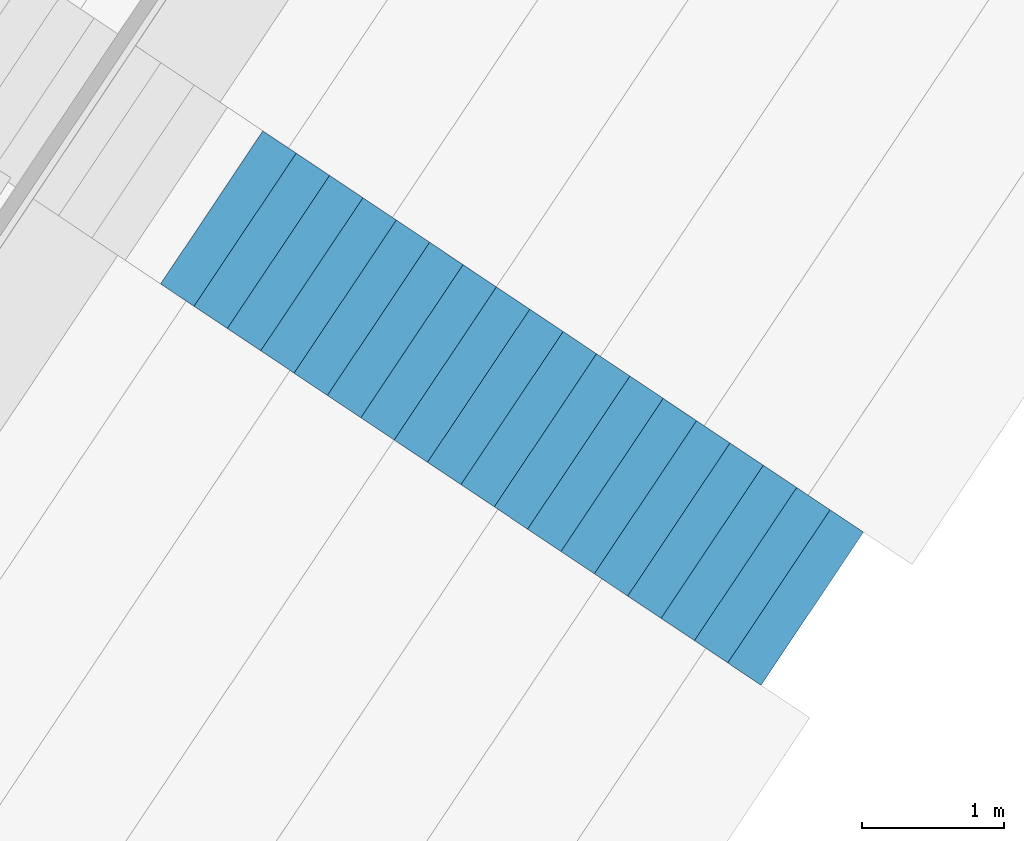
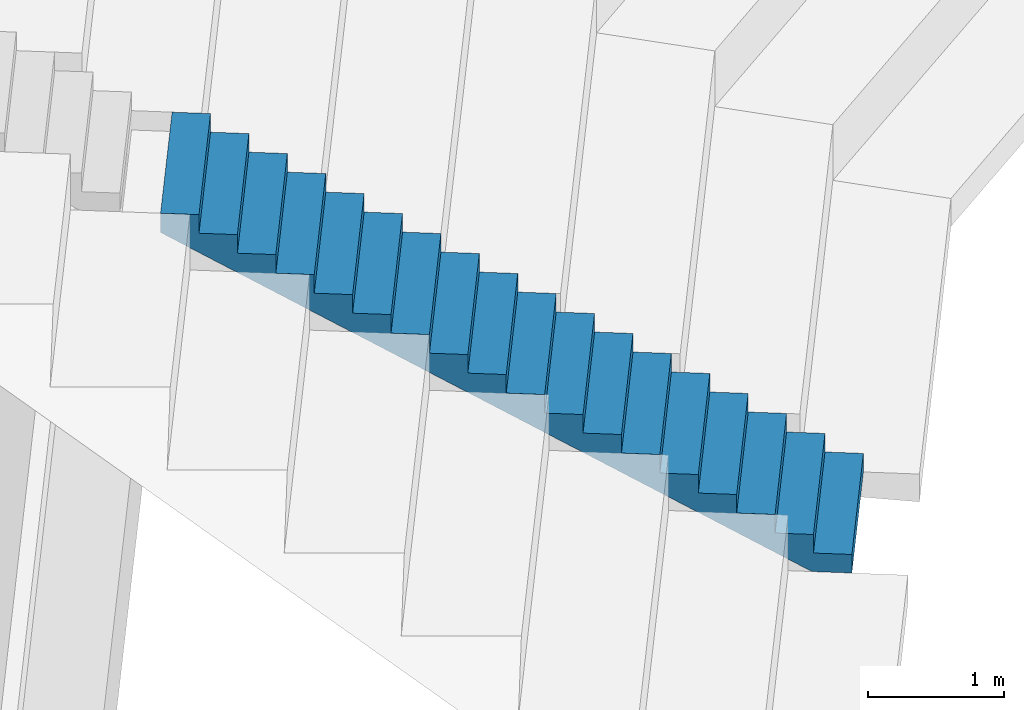
# One storey, part 196 of 249: 1 stair flight, 1 element without a shape of its own.
"""IFC4 building model written with IfcOpenShell, lengths in metres."""

import ifcopenshell
import ifcopenshell.guid

model = None  # the IFC model being written
_history = None  # IfcOwnerHistory: only IFC2X3 demands one
_inside = {}  # id of a spatial element -> (the spatial element, [elements in it])
_under = {}  # id of a project, library or spatial element -> (it, [spatial elements below it])
_declared = {}  # id of a project -> (the project, [libraries it declares])
_typed = {}  # id of a type object -> (the type object, [elements of that type])
_made_of = {}  # id of a material, layer set ... -> (it, [elements and type objects made of it])


def new_model(schema):
    """Start an empty IFC model of exactly this schema.

    Asked for "IFC4X3", IfcOpenShell would pick the latest addendum, in which some entities
    have other attributes; the version numbers below select the first issue.
    IFC2X3 requires an IfcOwnerHistory on every rooted entity: one is made here for all.
    """
    global model, _history
    if schema == "IFC4X3":
        model = ifcopenshell.file(schema_version=(4, 3, 0, 0))
    else:
        model = ifcopenshell.file(schema=schema)
    _inside.clear()
    _under.clear()
    _declared.clear()
    _typed.clear()
    _made_of.clear()
    _history = None
    if model.schema == "IFC2X3":
        org = make("IfcOrganization", Name="unknown")
        user = make(
            "IfcPersonAndOrganization",
            ThePerson=make("IfcPerson", FamilyName="unknown"),
            TheOrganization=org,
        )
        app = make(
            "IfcApplication",
            ApplicationDeveloper=org,
            Version="unknown",
            ApplicationFullName="unknown",
            ApplicationIdentifier="unknown",
        )
        _history = make(
            "IfcOwnerHistory",
            OwningUser=user,
            OwningApplication=app,
            ChangeAction="ADDED",
            CreationDate=0,
        )
    return model


def make(cls, **values):
    """One entity of the class cls with the attributes given. An attribute that is None is left unset."""
    return model.create_entity(
        cls, **{name: value for name, value in values.items() if value is not None}
    )


def rooted(cls, **values):
    """An entity with a GlobalId (a new one), such as an element, a storey or a relation."""
    return make(cls, GlobalId=ifcopenshell.guid.new(), OwnerHistory=_history, **values)


def si_unit(unit_type, name, prefix=None):
    """IfcSIUnit, for example si_unit("LENGTHUNIT", "METRE", prefix="MILLI")."""
    return make("IfcSIUnit", UnitType=unit_type, Prefix=prefix, Name=name)


def assignment(units):
    """IfcUnitAssignment: the units of a project."""
    return None if units is None else make("IfcUnitAssignment", Units=units)


def point(xyz):
    """IfcCartesianPoint."""
    return None if xyz is None else make("IfcCartesianPoint", Coordinates=xyz)


def direction(xyz):
    """IfcDirection."""
    return None if xyz is None else make("IfcDirection", DirectionRatios=xyz)


def frame(location, z_axis=None, x_axis=None):
    """IfcAxis2Placement3D, a coordinate frame: its origin and axes. An axis left out is left unset."""
    return make(
        "IfcAxis2Placement3D",
        Location=point(location),
        Axis=direction(z_axis),
        RefDirection=direction(x_axis),
    )


def origin():
    """The frame at (0, 0, 0) with its axes left unset."""
    return frame((0.0, 0.0, 0.0))


def place(relative_to, where):
    """IfcLocalPlacement: puts the frame where relative to a parent placement (None: the world)."""
    return make(
        "IfcLocalPlacement", PlacementRelTo=relative_to, RelativePlacement=where
    )


def context(
    kind, dimensions, precision=None, world=None, true_north=None, identifier=None
):
    """IfcGeometricRepresentationContext, for example the 3D "Model" context."""
    return make(
        "IfcGeometricRepresentationContext",
        ContextIdentifier=identifier,
        ContextType=kind,
        CoordinateSpaceDimension=dimensions,
        Precision=precision,
        WorldCoordinateSystem=world,
        TrueNorth=true_north,
    )


def subcontext(parent, identifier, kind, view, scale=None):
    """IfcGeometricRepresentationSubContext, for example "Body" below "Model"."""
    return make(
        "IfcGeometricRepresentationSubContext",
        ContextIdentifier=identifier,
        ContextType=kind,
        ParentContext=parent,
        TargetScale=scale,
        TargetView=view,
    )


def project(units=None, contexts=None):
    """IfcProject with its units and contexts."""
    return rooted(
        "IfcProject",
        Name="project",
        RepresentationContexts=contexts,
        UnitsInContext=assignment(units),
    )


def spatial(cls, under=None, at=None, **own):
    """A site, building, storey or space (cls), placed at a placement, below another one or the project."""
    s = rooted(cls, ObjectPlacement=at, **own)
    if under is not None:
        _under.setdefault(under.id(), (under, []))[1].append(s)
    return s


def faces_of(points, faces, orient=None, outer=None):
    """IfcFace entities. A face is a list of loops; a loop is a list of indices into points, from 0.

    orient and outer hold one flag for each loop. By default every Orientation is true, the
    first loop of a face is its IfcFaceOuterBound and the others are IfcFaceBound.
    """
    made = []
    for i, loops in enumerate(faces):
        bounds = []
        for j, loop in enumerate(loops):
            is_outer = j == 0 if outer is None else outer[i][j]
            bounds.append(
                make(
                    "IfcFaceOuterBound" if is_outer else "IfcFaceBound",
                    Bound=make("IfcPolyLoop", Polygon=[points[k] for k in loop]),
                    Orientation=True if orient is None else orient[i][j],
                )
            )
        made.append(make("IfcFace", Bounds=bounds))
    return made


def faceted_brep(points, faces, orient=None, outer=None, voids=None):
    """IfcFacetedBrep: a solid bounded by flat faces; with voids (closed shells), ...WithVoids."""
    shared = [point(p) for p in points]
    hull = make("IfcClosedShell", CfsFaces=faces_of(shared, faces, orient, outer))
    if voids is None:
        return make("IfcFacetedBrep", Outer=hull)
    return make(
        "IfcFacetedBrepWithVoids",
        Outer=hull,
        Voids=[
            make(cls, CfsFaces=faces_of(shared, fs, o, b)) for cls, fs, o, b in voids
        ],
    )


def shape(context_of_items, identifier, shape_type, items):
    """IfcShapeRepresentation: the items that make up one representation, for example the "Body"."""
    return make(
        "IfcShapeRepresentation",
        ContextOfItems=context_of_items,
        RepresentationIdentifier=identifier,
        RepresentationType=shape_type,
        Items=items,
    )


def material(Name=None, Category=None):
    """IfcMaterial."""
    return make("IfcMaterial", Name=Name, Category=Category)


def made_of(thing, what):
    """Note that an element or type object is made of a material, layer set ...; save() writes the relation."""
    if what is not None:
        _made_of.setdefault(what.id(), (what, []))[1].append(thing)
    return thing


def type_object(cls, material=None, **own):
    """A type object (cls), such as IfcWallType, which elements share."""
    return made_of(rooted(cls, **own), material)


def element(
    cls,
    number,
    at=None,
    inside=None,
    cuts=None,
    type_object=None,
    material=None,
    context=None,
    identifier="Body",
    shape_type=None,
    held_by="IfcProductDefinitionShape",
    body=None,
    shapes=None,
    **own,
):
    """One element of the class cls, such as IfcWall. Its Tag is "e" and its number.

    at: its placement. inside: the storey or other place that contains it. cuts: it is an
    opening in that element (IfcRelVoidsElement). A single representation is given by context,
    identifier, shape_type and body (its items); several are given by shapes. held_by: the class
    of the entity that holds the representations. save() writes the other relations.
    """
    e = rooted(cls, Tag="e%d" % number, ObjectPlacement=at, **own)
    if body is not None:
        shapes = [shape(context, identifier, shape_type, body)]
    if shapes is not None:
        e.Representation = make(held_by, Representations=shapes)
    if inside is not None:
        _inside.setdefault(inside.id(), (inside, []))[1].append(e)
    if cuts is not None:
        rooted(
            "IfcRelVoidsElement", RelatingBuildingElement=cuts, RelatedOpeningElement=e
        )
    if type_object is not None:
        _typed.setdefault(type_object.id(), (type_object, []))[1].append(e)
    return made_of(e, material)


def aggregate(whole, parts):
    """IfcRelAggregates: a whole, such as a stair, and the parts it consists of."""
    return rooted("IfcRelAggregates", RelatingObject=whole, RelatedObjects=parts)


def save(model, path):
    """Write the relations noted so far, then the file.

    IfcRelAggregates (storeys below a building ...), IfcRelContainedInSpatialStructure (elements
    in a storey), IfcRelDefinesByType, IfcRelAssociatesMaterial and IfcRelDeclares: one each for
    every whole, place, type object, material and project.
    """
    for whole, parts in _under.values():
        aggregate(whole, parts)
    for where, things in _inside.values():
        rooted(
            "IfcRelContainedInSpatialStructure",
            RelatedElements=things,
            RelatingStructure=where,
        )
    for kind, things in _typed.values():
        rooted("IfcRelDefinesByType", RelatedObjects=things, RelatingType=kind)
    for what, things in _made_of.values():
        rooted("IfcRelAssociatesMaterial", RelatedObjects=things, RelatingMaterial=what)
    for by, libraries in _declared.values():
        rooted("IfcRelDeclares", RelatingContext=by, RelatedDefinitions=libraries)
    model.write(path)


model = new_model("IFC4")

# Units and contexts
model_context = context("Model", 3, precision=1e-05, world=origin(), true_north=direction((0.0, 1.0)))
body_context = subcontext(model_context, "Body", "Model", "MODEL_VIEW")
ifc_project = project(units=[si_unit("LENGTHUNIT", "METRE"), si_unit("AREAUNIT", "SQUARE_METRE"), si_unit("VOLUMEUNIT", "CUBIC_METRE"), si_unit("PLANEANGLEUNIT", "RADIAN"), si_unit("MASSUNIT", "GRAM", prefix="KILO")], contexts=[model_context])

# Site, building, storey
site_placement = place(None, origin())
site = spatial("IfcSite", under=ifc_project, at=site_placement, CompositionType="ELEMENT")
building_placement = place(site_placement, origin())
building = spatial("IfcBuilding", under=site, at=building_placement, Name="Ogive Plaza Stadium", CompositionType="ELEMENT")
storey_placement = place(building_placement, frame((0.0, 0.0, 13.5)))
storey = spatial("IfcBuildingStorey", under=building, at=storey_placement, Name="L03", CompositionType="ELEMENT", Elevation=13.5)

# Stair, stair flight
ifc_material_1 = material(Name="Concrete C40/50", Category="concrete")
stair_type = type_object("IfcStairType", Name="Aisle stair", PredefinedType="STRAIGHT_RUN_STAIR", material=ifc_material_1)
stair_placement = place(storey_placement, origin())
stair = element("IfcStair", 1, at=stair_placement, inside=storey, type_object=stair_type, Name="Aisle stair SA29U", PredefinedType="STRAIGHT_RUN_STAIR")
ifc_material_2 = material(Name="Concrete C40/50", Category="concrete")
stair_flight_type = type_object("IfcStairFlightType", Name="Aisle stair flight", PredefinedType="STRAIGHT", material=ifc_material_2)
stair_flight_placement = place(storey_placement, frame((-51.876708984375, 64.44482421875, 0.5), z_axis=(0.0, 0.0, 1.0), x_axis=(-0.831469612303, 0.55557023302, 0.0)))
stair_flight = element("IfcStairFlight", 2, at=stair_flight_placement, type_object=stair_flight_type, Name="SA29U flight 1", NumberOfRisers=18, NumberOfTreads=17, PredefinedType="STRAIGHT", RiserHeight=0.166666667, TreadLength=0.283333333, context=body_context, shape_type="Brep", body=[
    faceted_brep([(0.295654296875, -0.64990234375, 0.0), (5.10009765625, -0.64990234375, 2.826171875), (5.10009765625, -0.64990234375, 3.0), (4.816650390625, -0.64990234375, 3.0), (4.816650390625, -0.64990234375, 2.833251953125), (4.533447265625, -0.64990234375, 2.833251953125), (4.533447265625, -0.64990234375, 2.666748046875), (4.25, -0.64990234375, 2.666748046875), (4.25, -0.64990234375, 2.5), (3.966552734375, -0.64990234375, 2.5), (3.966552734375, -0.64990234375, 2.333251953125), (3.683349609375, -0.64990234375, 2.333251953125), (3.683349609375, -0.64990234375, 2.166748046875), (3.39990234375, -0.64990234375, 2.166748046875), (3.39990234375, -0.64990234375, 2.0), (3.11669921875, -0.64990234375, 2.0), (3.11669921875, -0.64990234375, 1.833251953125), (2.833251953125, -0.64990234375, 1.833251953125), (2.833251953125, -0.64990234375, 1.666748046875), (2.550048828125, -0.64990234375, 1.666748046875), (2.550048828125, -0.64990234375, 1.5), (2.2666015625, -0.64990234375, 1.5), (2.2666015625, -0.64990234375, 1.333251953125), (1.9833984375, -0.64990234375, 1.333251953125), (1.9833984375, -0.64990234375, 1.166748046875), (1.699951171875, -0.64990234375, 1.166748046875), (1.699951171875, -0.64990234375, 1.0), (1.416748046875, -0.64990234375, 1.0), (1.416748046875, -0.64990234375, 0.833251953125), (1.13330078125, -0.64990234375, 0.833251953125), (1.13330078125, -0.64990234375, 0.666748046875), (0.85009765625, -0.64990234375, 0.666748046875), (0.85009765625, -0.64990234375, 0.5), (0.566650390625, -0.64990234375, 0.5), (0.566650390625, -0.64990234375, 0.333251953125), (0.283447265625, -0.64990234375, 0.333251953125), (0.283447265625, -0.64990234375, 0.166748046875), (0.0, -0.64990234375, 0.166748046875), (0.0, -0.64990234375, 0.0), (0.0, 0.64990234375, 0.0), (0.0, 0.64990234375, 0.166748046875), (0.283447265625, 0.64990234375, 0.166748046875), (0.283447265625, 0.64990234375, 0.333251953125), (0.566650390625, 0.64990234375, 0.333251953125), (0.566650390625, 0.64990234375, 0.5), (0.85009765625, 0.64990234375, 0.5), (0.85009765625, 0.64990234375, 0.666748046875), (1.13330078125, 0.64990234375, 0.666748046875), (1.13330078125, 0.64990234375, 0.833251953125), (1.416748046875, 0.64990234375, 0.833251953125), (1.416748046875, 0.64990234375, 1.0), (1.699951171875, 0.64990234375, 1.0), (1.699951171875, 0.64990234375, 1.166748046875), (1.9833984375, 0.64990234375, 1.166748046875), (1.9833984375, 0.64990234375, 1.333251953125), (2.2666015625, 0.64990234375, 1.333251953125), (2.2666015625, 0.64990234375, 1.5), (2.550048828125, 0.64990234375, 1.5), (2.550048828125, 0.64990234375, 1.666748046875), (2.833251953125, 0.64990234375, 1.666748046875), (2.833251953125, 0.64990234375, 1.833251953125), (3.11669921875, 0.64990234375, 1.833251953125), (3.11669921875, 0.64990234375, 2.0), (3.39990234375, 0.64990234375, 2.0), (3.39990234375, 0.64990234375, 2.166748046875), (3.683349609375, 0.64990234375, 2.166748046875), (3.683349609375, 0.64990234375, 2.333251953125), (3.966552734375, 0.64990234375, 2.333251953125), (3.966552734375, 0.64990234375, 2.5), (4.25, 0.64990234375, 2.5), (4.25, 0.64990234375, 2.666748046875), (4.533447265625, 0.64990234375, 2.666748046875), (4.533447265625, 0.64990234375, 2.833251953125), (4.816650390625, 0.64990234375, 2.833251953125), (4.816650390625, 0.64990234375, 3.0), (5.10009765625, 0.64990234375, 3.0), (5.10009765625, 0.64990234375, 2.826171875), (0.295654296875, 0.64990234375, 0.0), (0.295654296875, -0.324951171875, 0.0), (5.10009765625, -0.324951171875, 2.826171875), (0.295654296875, 0.0, 0.0), (5.10009765625, 0.0, 2.826171875), (0.295654296875, 0.324951171875, 0.0), (5.10009765625, 0.324951171875, 2.826171875), (5.10009765625, -0.324951171875, 3.0), (5.10009765625, 0.0, 3.0), (5.10009765625, 0.324951171875, 3.0), (4.816650390625, -0.324951171875, 3.0), (4.816650390625, 0.0, 3.0), (4.816650390625, 0.324951171875, 3.0), (4.816650390625, -0.324951171875, 2.833251953125), (4.816650390625, 0.0, 2.833251953125), (4.816650390625, 0.324951171875, 2.833251953125), (4.533447265625, -0.324951171875, 2.833251953125), (4.533447265625, 0.0, 2.833251953125), (4.533447265625, 0.324951171875, 2.833251953125), (4.533447265625, -0.324951171875, 2.666748046875), (4.533447265625, 0.0, 2.666748046875), (4.533447265625, 0.324951171875, 2.666748046875), (4.25, -0.324951171875, 2.666748046875), (4.25, 0.0, 2.666748046875), (4.25, 0.324951171875, 2.666748046875), (4.25, -0.324951171875, 2.5), (4.25, 0.0, 2.5), (4.25, 0.324951171875, 2.5), (3.966552734375, -0.324951171875, 2.5), (3.966552734375, 0.0, 2.5), (3.966552734375, 0.324951171875, 2.5), (3.966552734375, -0.324951171875, 2.333251953125), (3.966552734375, 0.0, 2.333251953125), (3.966552734375, 0.324951171875, 2.333251953125), (3.683349609375, -0.324951171875, 2.333251953125), (3.683349609375, 0.0, 2.333251953125), (3.683349609375, 0.324951171875, 2.333251953125), (3.683349609375, -0.324951171875, 2.166748046875), (3.683349609375, 0.0, 2.166748046875), (3.683349609375, 0.324951171875, 2.166748046875), (3.39990234375, -0.324951171875, 2.166748046875), (3.39990234375, 0.0, 2.166748046875), (3.39990234375, 0.324951171875, 2.166748046875), (3.39990234375, -0.324951171875, 2.0), (3.39990234375, 0.0, 2.0), (3.39990234375, 0.324951171875, 2.0), (3.11669921875, -0.324951171875, 2.0), (3.11669921875, 0.0, 2.0), (3.11669921875, 0.324951171875, 2.0), (3.11669921875, -0.324951171875, 1.833251953125), (3.11669921875, 0.0, 1.833251953125), (3.11669921875, 0.324951171875, 1.833251953125), (2.833251953125, -0.324951171875, 1.833251953125), (2.833251953125, 0.0, 1.833251953125), (2.833251953125, 0.324951171875, 1.833251953125), (2.833251953125, -0.324951171875, 1.666748046875), (2.833251953125, 0.0, 1.666748046875), (2.833251953125, 0.324951171875, 1.666748046875), (2.550048828125, -0.324951171875, 1.666748046875), (2.550048828125, 0.0, 1.666748046875), (2.550048828125, 0.324951171875, 1.666748046875), (2.550048828125, -0.324951171875, 1.5), (2.550048828125, 0.0, 1.5), (2.550048828125, 0.324951171875, 1.5), (2.2666015625, -0.324951171875, 1.5), (2.2666015625, 0.0, 1.5), (2.2666015625, 0.324951171875, 1.5), (2.2666015625, -0.324951171875, 1.333251953125), (2.2666015625, 0.0, 1.333251953125), (2.2666015625, 0.324951171875, 1.333251953125), (1.9833984375, -0.324951171875, 1.333251953125), (1.9833984375, 0.0, 1.333251953125), (1.9833984375, 0.324951171875, 1.333251953125), (1.9833984375, -0.324951171875, 1.166748046875), (1.9833984375, 0.0, 1.166748046875), (1.9833984375, 0.324951171875, 1.166748046875), (1.699951171875, -0.324951171875, 1.166748046875), (1.699951171875, 0.0, 1.166748046875), (1.699951171875, 0.324951171875, 1.166748046875), (1.699951171875, -0.324951171875, 1.0), (1.699951171875, 0.0, 1.0), (1.699951171875, 0.324951171875, 1.0), (1.416748046875, -0.324951171875, 1.0), (1.416748046875, 0.0, 1.0), (1.416748046875, 0.324951171875, 1.0), (1.416748046875, -0.324951171875, 0.833251953125), (1.416748046875, 0.0, 0.833251953125), (1.416748046875, 0.324951171875, 0.833251953125), (1.13330078125, -0.324951171875, 0.833251953125), (1.13330078125, 0.0, 0.833251953125), (1.13330078125, 0.324951171875, 0.833251953125), (1.13330078125, -0.324951171875, 0.666748046875), (1.13330078125, 0.0, 0.666748046875), (1.13330078125, 0.324951171875, 0.666748046875), (0.85009765625, -0.324951171875, 0.666748046875), (0.85009765625, 0.0, 0.666748046875), (0.85009765625, 0.324951171875, 0.666748046875), (0.85009765625, -0.324951171875, 0.5), (0.85009765625, 0.0, 0.5), (0.85009765625, 0.324951171875, 0.5), (0.566650390625, -0.324951171875, 0.5), (0.566650390625, 0.0, 0.5), (0.566650390625, 0.324951171875, 0.5), (0.566650390625, -0.324951171875, 0.333251953125), (0.566650390625, 0.0, 0.333251953125), (0.566650390625, 0.324951171875, 0.333251953125), (0.283447265625, -0.324951171875, 0.333251953125), (0.283447265625, 0.0, 0.333251953125), (0.283447265625, 0.324951171875, 0.333251953125), (0.283447265625, -0.324951171875, 0.166748046875), (0.283447265625, 0.0, 0.166748046875), (0.283447265625, 0.324951171875, 0.166748046875), (0.0, -0.324951171875, 0.166748046875), (0.0, 0.0, 0.166748046875), (0.0, 0.324951171875, 0.166748046875), (0.0, -0.324951171875, 0.0), (0.0, 0.0, 0.0), (0.0, 0.324951171875, 0.0)], [[[0, 1, 2, 3, 4, 5, 6, 7, 8, 9, 10, 11, 12, 13, 14, 15, 16, 17, 18, 19, 20, 21, 22, 23, 24, 25, 26, 27, 28, 29, 30, 31, 32, 33, 34, 35, 36, 37, 38]], [[39, 40, 41, 42, 43, 44, 45, 46, 47, 48, 49, 50, 51, 52, 53, 54, 55, 56, 57, 58, 59, 60, 61, 62, 63, 64, 65, 66, 67, 68, 69, 70, 71, 72, 73, 74, 75, 76, 77]], [[0, 78, 79, 1]], [[78, 80, 81, 79]], [[80, 82, 83, 81]], [[82, 77, 76, 83]], [[1, 79, 84, 2]], [[79, 81, 85, 84]], [[81, 83, 86, 85]], [[83, 76, 75, 86]], [[2, 84, 87, 3]], [[84, 85, 88, 87]], [[85, 86, 89, 88]], [[86, 75, 74, 89]], [[3, 87, 90, 4]], [[87, 88, 91, 90]], [[88, 89, 92, 91]], [[89, 74, 73, 92]], [[4, 90, 93, 5]], [[90, 91, 94, 93]], [[91, 92, 95, 94]], [[92, 73, 72, 95]], [[5, 93, 96, 6]], [[93, 94, 97, 96]], [[94, 95, 98, 97]], [[95, 72, 71, 98]], [[6, 96, 99, 7]], [[96, 97, 100, 99]], [[97, 98, 101, 100]], [[98, 71, 70, 101]], [[7, 99, 102, 8]], [[99, 100, 103, 102]], [[100, 101, 104, 103]], [[101, 70, 69, 104]], [[8, 102, 105, 9]], [[102, 103, 106, 105]], [[103, 104, 107, 106]], [[104, 69, 68, 107]], [[9, 105, 108, 10]], [[105, 106, 109, 108]], [[106, 107, 110, 109]], [[107, 68, 67, 110]], [[10, 108, 111, 11]], [[108, 109, 112, 111]], [[109, 110, 113, 112]], [[110, 67, 66, 113]], [[11, 111, 114, 12]], [[111, 112, 115, 114]], [[112, 113, 116, 115]], [[113, 66, 65, 116]], [[12, 114, 117, 13]], [[114, 115, 118, 117]], [[115, 116, 119, 118]], [[116, 65, 64, 119]], [[13, 117, 120, 14]], [[117, 118, 121, 120]], [[118, 119, 122, 121]], [[119, 64, 63, 122]], [[14, 120, 123, 15]], [[120, 121, 124, 123]], [[121, 122, 125, 124]], [[122, 63, 62, 125]], [[15, 123, 126, 16]], [[123, 124, 127, 126]], [[124, 125, 128, 127]], [[125, 62, 61, 128]], [[16, 126, 129, 17]], [[126, 127, 130, 129]], [[127, 128, 131, 130]], [[128, 61, 60, 131]], [[17, 129, 132, 18]], [[129, 130, 133, 132]], [[130, 131, 134, 133]], [[131, 60, 59, 134]], [[18, 132, 135, 19]], [[132, 133, 136, 135]], [[133, 134, 137, 136]], [[134, 59, 58, 137]], [[19, 135, 138, 20]], [[135, 136, 139, 138]], [[136, 137, 140, 139]], [[137, 58, 57, 140]], [[20, 138, 141, 21]], [[138, 139, 142, 141]], [[139, 140, 143, 142]], [[140, 57, 56, 143]], [[21, 141, 144, 22]], [[141, 142, 145, 144]], [[142, 143, 146, 145]], [[143, 56, 55, 146]], [[22, 144, 147, 23]], [[144, 145, 148, 147]], [[145, 146, 149, 148]], [[146, 55, 54, 149]], [[23, 147, 150, 24]], [[147, 148, 151, 150]], [[148, 149, 152, 151]], [[149, 54, 53, 152]], [[24, 150, 153, 25]], [[150, 151, 154, 153]], [[151, 152, 155, 154]], [[152, 53, 52, 155]], [[25, 153, 156, 26]], [[153, 154, 157, 156]], [[154, 155, 158, 157]], [[155, 52, 51, 158]], [[26, 156, 159, 27]], [[156, 157, 160, 159]], [[157, 158, 161, 160]], [[158, 51, 50, 161]], [[27, 159, 162, 28]], [[159, 160, 163, 162]], [[160, 161, 164, 163]], [[161, 50, 49, 164]], [[28, 162, 165, 29]], [[162, 163, 166, 165]], [[163, 164, 167, 166]], [[164, 49, 48, 167]], [[29, 165, 168, 30]], [[165, 166, 169, 168]], [[166, 167, 170, 169]], [[167, 48, 47, 170]], [[30, 168, 171, 31]], [[168, 169, 172, 171]], [[169, 170, 173, 172]], [[170, 47, 46, 173]], [[31, 171, 174, 32]], [[171, 172, 175, 174]], [[172, 173, 176, 175]], [[173, 46, 45, 176]], [[32, 174, 177, 33]], [[174, 175, 178, 177]], [[175, 176, 179, 178]], [[176, 45, 44, 179]], [[33, 177, 180, 34]], [[177, 178, 181, 180]], [[178, 179, 182, 181]], [[179, 44, 43, 182]], [[34, 180, 183, 35]], [[180, 181, 184, 183]], [[181, 182, 185, 184]], [[182, 43, 42, 185]], [[35, 183, 186, 36]], [[183, 184, 187, 186]], [[184, 185, 188, 187]], [[185, 42, 41, 188]], [[36, 186, 189, 37]], [[186, 187, 190, 189]], [[187, 188, 191, 190]], [[188, 41, 40, 191]], [[37, 189, 192, 38]], [[189, 190, 193, 192]], [[190, 191, 194, 193]], [[191, 40, 39, 194]], [[38, 192, 78, 0]], [[192, 193, 80, 78]], [[193, 194, 82, 80]], [[194, 39, 77, 82]]]),
])
aggregate(stair, [stair_flight])

save(model, "model.ifc")
